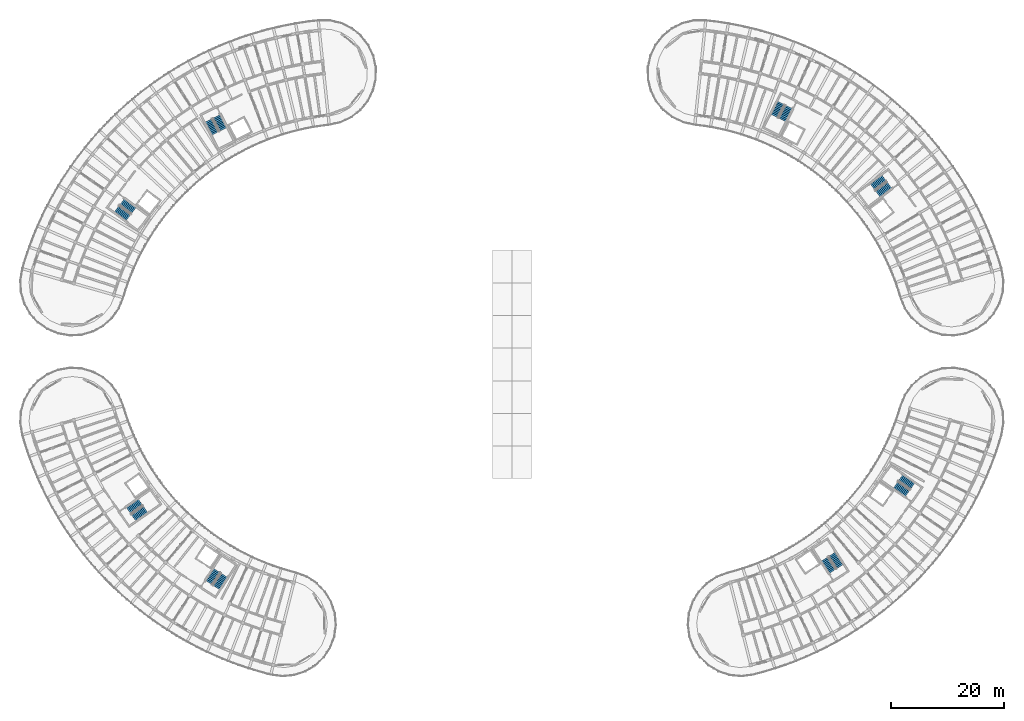
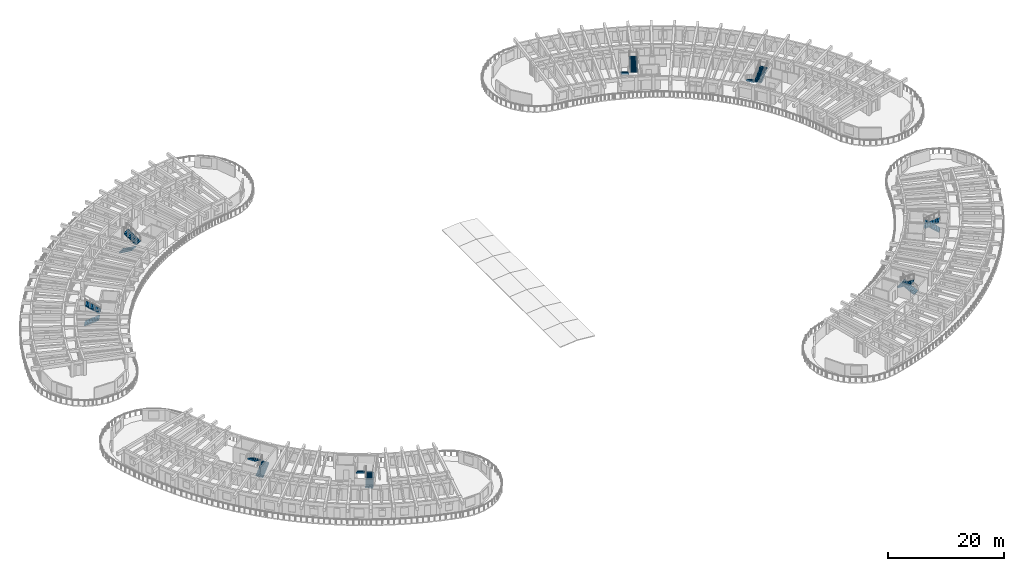
# One storey, part 47 of 69: 16 stair flights, 8 elements without a shape of their own.
"""IFC4 building model written with IfcOpenShell, lengths in metres."""

from ifc_helpers import new_model, si_unit, direction, frame, origin, place, context, subcontext, project, spatial, polyline, outline, extrude, material, layer, layer_set, type_object, element, aggregate, save


model = new_model("IFC4")

# Units and contexts
model_context = context("Model", 3, precision=1e-05, world=origin(), true_north=direction((0.0, 1.0)))
body_context = subcontext(model_context, "Body", "Model", "MODEL_VIEW")
ifc_project = project(units=[si_unit("LENGTHUNIT", "METRE"), si_unit("AREAUNIT", "SQUARE_METRE"), si_unit("VOLUMEUNIT", "CUBIC_METRE"), si_unit("PLANEANGLEUNIT", "RADIAN"), si_unit("MASSUNIT", "GRAM", prefix="KILO")], contexts=[model_context])

# Site, building, storey
site_placement = place(None, origin())
site = spatial("IfcSite", under=ifc_project, at=site_placement, CompositionType="ELEMENT")
building_placement = place(site_placement, origin())
building = spatial("IfcBuilding", under=site, at=building_placement, Name="Tanwirah Colonnade Gardens", CompositionType="ELEMENT")
storey_placement = place(building_placement, frame((0.0, 0.0, 15.56005859375)))
storey = spatial("IfcBuildingStorey", under=building, at=storey_placement, Name="L04", CompositionType="ELEMENT", Elevation=15.56005859375)

# Stair, stair flights
ifc_material = material(Name="Precast concrete C40/50", Category="concrete")
stair_type = type_object("IfcStairType", Name="ST-RES168", PredefinedType="HALF_TURN_STAIR", material=ifc_material)
stair_1_placement = place(storey_placement, origin())
stair_1 = element("IfcStair", 1, at=stair_1_placement, inside=storey, type_object=stair_type, Name="L04 Block A Core 1 Exit Stair", PredefinedType="HALF_TURN_STAIR")
ifc_layer = layer(ifc_material, 0.14990234375)
ifc_layer_set = layer_set([ifc_layer], Name="Precast concrete C40/50")
stair_flight_type = type_object("IfcStairFlightType", Name="FLT-RES150", PredefinedType="STRAIGHT", material=ifc_layer_set)
stair_flight_1_placement = place(storey_placement, frame((39.148681640625, 103.425048828125, 0.0), z_axis=(0.0, 0.0, 1.0), x_axis=(0.45399049974, -0.891006524188, 0.0)))
stair_flight_1 = element("IfcStairFlight", 2, at=stair_flight_1_placement, type_object=stair_flight_type, Name="ST-A1 flight 1", NumberOfRisers=10, NumberOfTreads=9, PredefinedType="STRAIGHT", RiserHeight=0.168, TreadLength=0.285, context=body_context, shape_type="SweptSolid", body=[
    extrude(outline(polyline([(-0.0048828125, 0.0), (0.0, 0.16796875), (0.284912109375, 0.16796875), (0.284912109375, 0.3359375), (0.570068359375, 0.3359375), (0.570068359375, 0.50390625), (0.85498046875, 0.50390625), (0.85498046875, 0.672119140625), (1.139892578125, 0.672119140625), (1.139892578125, 0.840087890625), (1.425048828125, 0.840087890625), (1.425048828125, 1.008056640625), (1.7099609375, 1.008056640625), (1.7099609375, 1.176025390625), (1.9951171875, 1.176025390625), (1.9951171875, 1.343994140625), (2.280029296875, 1.343994140625), (2.280029296875, 1.511962890625), (2.56494140625, 1.511962890625), (2.570068359375, 1.679931640625), (2.570068359375, 1.337890625), (0.30029296875, 0.0), (-0.0048828125, 0.0)])), frame((0.0, 0.68994140625, 0.0), z_axis=(0.0, -1.0, 0.0), x_axis=(1.0, 0.0, 0.0)), (0.0, 0.0, 1.0), 1.3798828125),
])
stair_flight_2_placement = place(storey_placement, frame((41.685302734375, 101.838623046875, 1.679931640625), z_axis=(0.0, 0.0, 1.0), x_axis=(-0.45399049974, 0.891006524188, 0.0)))
stair_flight_2 = element("IfcStairFlight", 3, at=stair_flight_2_placement, type_object=stair_flight_type, Name="ST-A1 flight 2", NumberOfRisers=10, NumberOfTreads=9, PredefinedType="STRAIGHT", RiserHeight=0.168, TreadLength=0.285, context=body_context, shape_type="SweptSolid", body=[
    extrude(outline(polyline([(-0.0048828125, 0.0), (0.0, 0.16796875), (0.284912109375, 0.16796875), (0.284912109375, 0.3359375), (0.570068359375, 0.3359375), (0.570068359375, 0.50390625), (0.85498046875, 0.50390625), (0.85498046875, 0.672119140625), (1.139892578125, 0.672119140625), (1.139892578125, 0.840087890625), (1.425048828125, 0.840087890625), (1.425048828125, 1.008056640625), (1.7099609375, 1.008056640625), (1.7099609375, 1.176025390625), (1.9951171875, 1.176025390625), (1.9951171875, 1.343994140625), (2.280029296875, 1.343994140625), (2.280029296875, 1.511962890625), (2.56494140625, 1.511962890625), (2.570068359375, 1.679931640625), (2.570068359375, 1.337890625), (0.30029296875, 0.0), (-0.0048828125, 0.0)])), frame((0.0, 0.68994140625, 0.0), z_axis=(0.0, -1.0, 0.0), x_axis=(1.0, 0.0, 0.0)), (0.0, 0.0, 1.0), 1.3798828125),
])
aggregate(stair_1, [stair_flight_1, stair_flight_2])

stair_2_placement = place(storey_placement, origin())
stair_2 = element("IfcStair", 4, at=stair_2_placement, inside=storey, type_object=stair_type, Name="L04 Block A Core 2 Exit Stair", PredefinedType="HALF_TURN_STAIR")
stair_flight_3_placement = place(storey_placement, frame((22.81640625, 87.7177734375, 0.0), z_axis=(0.0, 0.0, 1.0), x_axis=(0.798635510047, -0.601815023152, 0.0)))
stair_flight_3 = element("IfcStairFlight", 5, at=stair_flight_3_placement, type_object=stair_flight_type, Name="ST-A2 flight 1", NumberOfRisers=10, NumberOfTreads=9, PredefinedType="STRAIGHT", RiserHeight=0.168, TreadLength=0.285, context=body_context, shape_type="SweptSolid", body=[
    extrude(outline(polyline([(-0.0048828125, 0.0), (0.0, 0.16796875), (0.284912109375, 0.16796875), (0.284912109375, 0.3359375), (0.570068359375, 0.3359375), (0.570068359375, 0.50390625), (0.85498046875, 0.50390625), (0.85498046875, 0.672119140625), (1.139892578125, 0.672119140625), (1.139892578125, 0.840087890625), (1.425048828125, 0.840087890625), (1.425048828125, 1.008056640625), (1.7099609375, 1.008056640625), (1.7099609375, 1.176025390625), (1.9951171875, 1.176025390625), (1.9951171875, 1.343994140625), (2.280029296875, 1.343994140625), (2.280029296875, 1.511962890625), (2.56494140625, 1.511962890625), (2.570068359375, 1.679931640625), (2.570068359375, 1.337890625), (0.30029296875, 0.0), (-0.0048828125, 0.0)])), frame((0.0, 0.68994140625, 0.0), z_axis=(0.0, -1.0, 0.0), x_axis=(1.0, 0.0, 0.0)), (0.0, 0.0, 1.0), 1.3798828125),
])
stair_flight_4_placement = place(storey_placement, frame((25.791748046875, 87.404052734375, 1.679931640625), z_axis=(0.0, 0.0, 1.0), x_axis=(-0.798635510047, 0.601815023152, 0.0)))
stair_flight_4 = element("IfcStairFlight", 6, at=stair_flight_4_placement, type_object=stair_flight_type, Name="ST-A2 flight 2", NumberOfRisers=10, NumberOfTreads=9, PredefinedType="STRAIGHT", RiserHeight=0.168, TreadLength=0.285, context=body_context, shape_type="SweptSolid", body=[
    extrude(outline(polyline([(-0.0048828125, 0.0), (0.0, 0.16796875), (0.284912109375, 0.16796875), (0.284912109375, 0.3359375), (0.570068359375, 0.3359375), (0.570068359375, 0.50390625), (0.85498046875, 0.50390625), (0.85498046875, 0.672119140625), (1.139892578125, 0.672119140625), (1.139892578125, 0.840087890625), (1.425048828125, 0.840087890625), (1.425048828125, 1.008056640625), (1.7099609375, 1.008056640625), (1.7099609375, 1.176025390625), (1.9951171875, 1.176025390625), (1.9951171875, 1.343994140625), (2.280029296875, 1.343994140625), (2.280029296875, 1.511962890625), (2.56494140625, 1.511962890625), (2.570068359375, 1.679931640625), (2.570068359375, 1.337890625), (0.30029296875, 0.0), (-0.0048828125, 0.0)])), frame((0.0, 0.68994140625, 0.0), z_axis=(0.0, -1.0, 0.0), x_axis=(1.0, 0.0, 0.0)), (0.0, 0.0, 1.0), 1.3798828125),
])
aggregate(stair_2, [stair_flight_3, stair_flight_4])

stair_3_placement = place(storey_placement, origin())
stair_3 = element("IfcStair", 7, at=stair_3_placement, inside=storey, type_object=stair_type, Name="L04 Block B Core 1 Exit Stair", PredefinedType="HALF_TURN_STAIR")
stair_flight_5_placement = place(storey_placement, frame((159.079345703125, 93.16455078125, 0.0), z_axis=(0.0, 0.0, 1.0), x_axis=(-0.798635510047, -0.601815023152, 0.0)))
stair_flight_5 = element("IfcStairFlight", 8, at=stair_flight_5_placement, type_object=stair_flight_type, Name="ST-B1 flight 1", NumberOfRisers=10, NumberOfTreads=9, PredefinedType="STRAIGHT", RiserHeight=0.168, TreadLength=0.285, context=body_context, shape_type="SweptSolid", body=[
    extrude(outline(polyline([(-0.0048828125, 0.0), (0.0, 0.16796875), (0.284912109375, 0.16796875), (0.284912109375, 0.3359375), (0.570068359375, 0.3359375), (0.570068359375, 0.50390625), (0.85498046875, 0.50390625), (0.85498046875, 0.672119140625), (1.139892578125, 0.672119140625), (1.139892578125, 0.840087890625), (1.425048828125, 0.840087890625), (1.425048828125, 1.008056640625), (1.7099609375, 1.008056640625), (1.7099609375, 1.176025390625), (1.9951171875, 1.176025390625), (1.9951171875, 1.343994140625), (2.280029296875, 1.343994140625), (2.280029296875, 1.511962890625), (2.56494140625, 1.511962890625), (2.570068359375, 1.679931640625), (2.570068359375, 1.337890625), (0.30029296875, 0.0), (-0.0048828125, 0.0)])), frame((0.0, 0.68994140625, 0.0), z_axis=(0.0, -1.0, 0.0), x_axis=(1.0, 0.0, 0.0)), (0.0, 0.0, 1.0), 1.3798828125),
])
stair_flight_6_placement = place(storey_placement, frame((157.95751953125, 90.39111328125, 1.679931640625), z_axis=(0.0, 0.0, 1.0), x_axis=(0.798635510047, 0.601815023152, 0.0)))
stair_flight_6 = element("IfcStairFlight", 9, at=stair_flight_6_placement, type_object=stair_flight_type, Name="ST-B1 flight 2", NumberOfRisers=10, NumberOfTreads=9, PredefinedType="STRAIGHT", RiserHeight=0.168, TreadLength=0.285, context=body_context, shape_type="SweptSolid", body=[
    extrude(outline(polyline([(-0.0048828125, 0.0), (0.0, 0.16796875), (0.284912109375, 0.16796875), (0.284912109375, 0.3359375), (0.570068359375, 0.3359375), (0.570068359375, 0.50390625), (0.85498046875, 0.50390625), (0.85498046875, 0.672119140625), (1.139892578125, 0.672119140625), (1.139892578125, 0.840087890625), (1.425048828125, 0.840087890625), (1.425048828125, 1.008056640625), (1.7099609375, 1.008056640625), (1.7099609375, 1.176025390625), (1.9951171875, 1.176025390625), (1.9951171875, 1.343994140625), (2.280029296875, 1.343994140625), (2.280029296875, 1.511962890625), (2.56494140625, 1.511962890625), (2.570068359375, 1.679931640625), (2.570068359375, 1.337890625), (0.30029296875, 0.0), (-0.0048828125, 0.0)])), frame((0.0, 0.68994140625, 0.0), z_axis=(0.0, -1.0, 0.0), x_axis=(1.0, 0.0, 0.0)), (0.0, 0.0, 1.0), 1.3798828125),
])
aggregate(stair_3, [stair_flight_5, stair_flight_6])

stair_4_placement = place(storey_placement, origin())
stair_4 = element("IfcStair", 10, at=stair_4_placement, inside=storey, type_object=stair_type, Name="L04 Block B Core 2 Exit Stair", PredefinedType="HALF_TURN_STAIR")
stair_flight_7_placement = place(storey_placement, frame((140.774658203125, 106.521240234375, 0.0), z_axis=(0.0, 0.0, 1.0), x_axis=(-0.45399049974, -0.891006524188, 0.0)))
stair_flight_7 = element("IfcStairFlight", 11, at=stair_flight_7_placement, type_object=stair_flight_type, Name="ST-B2 flight 1", NumberOfRisers=10, NumberOfTreads=9, PredefinedType="STRAIGHT", RiserHeight=0.168, TreadLength=0.285, context=body_context, shape_type="SweptSolid", body=[
    extrude(outline(polyline([(-0.0048828125, 0.0), (0.0, 0.16796875), (0.284912109375, 0.16796875), (0.284912109375, 0.3359375), (0.570068359375, 0.3359375), (0.570068359375, 0.50390625), (0.85498046875, 0.50390625), (0.85498046875, 0.672119140625), (1.139892578125, 0.672119140625), (1.139892578125, 0.840087890625), (1.425048828125, 0.840087890625), (1.425048828125, 1.008056640625), (1.7099609375, 1.008056640625), (1.7099609375, 1.176025390625), (1.9951171875, 1.176025390625), (1.9951171875, 1.343994140625), (2.280029296875, 1.343994140625), (2.280029296875, 1.511962890625), (2.56494140625, 1.511962890625), (2.570068359375, 1.679931640625), (2.570068359375, 1.337890625), (0.30029296875, 0.0), (-0.0048828125, 0.0)])), frame((0.0, 0.68994140625, 0.0), z_axis=(0.0, -1.0, 0.0), x_axis=(1.0, 0.0, 0.0)), (0.0, 0.0, 1.0), 1.3798828125),
])
stair_flight_8_placement = place(storey_placement, frame((140.982421875, 103.53662109375, 1.679931640625), z_axis=(0.0, 0.0, 1.0), x_axis=(0.45399049974, 0.891006524188, 0.0)))
stair_flight_8 = element("IfcStairFlight", 12, at=stair_flight_8_placement, type_object=stair_flight_type, Name="ST-B2 flight 2", NumberOfRisers=10, NumberOfTreads=9, PredefinedType="STRAIGHT", RiserHeight=0.168, TreadLength=0.285, context=body_context, shape_type="SweptSolid", body=[
    extrude(outline(polyline([(-0.0048828125, 0.0), (0.0, 0.16796875), (0.284912109375, 0.16796875), (0.284912109375, 0.3359375), (0.570068359375, 0.3359375), (0.570068359375, 0.50390625), (0.85498046875, 0.50390625), (0.85498046875, 0.672119140625), (1.139892578125, 0.672119140625), (1.139892578125, 0.840087890625), (1.425048828125, 0.840087890625), (1.425048828125, 1.008056640625), (1.7099609375, 1.008056640625), (1.7099609375, 1.176025390625), (1.9951171875, 1.176025390625), (1.9951171875, 1.343994140625), (2.280029296875, 1.343994140625), (2.280029296875, 1.511962890625), (2.56494140625, 1.511962890625), (2.570068359375, 1.679931640625), (2.570068359375, 1.337890625), (0.30029296875, 0.0), (-0.0048828125, 0.0)])), frame((0.0, 0.68994140625, 0.0), z_axis=(0.0, -1.0, 0.0), x_axis=(1.0, 0.0, 0.0)), (0.0, 0.0, 1.0), 1.3798828125),
])
aggregate(stair_4, [stair_flight_7, stair_flight_8])

stair_5_placement = place(storey_placement, origin())
stair_5 = element("IfcStair", 13, at=stair_5_placement, inside=storey, type_object=stair_type, Name="L04 Block C Core 1 Exit Stair", PredefinedType="HALF_TURN_STAIR")
stair_flight_9_placement = place(storey_placement, frame((25.79345703125, 32.884521484375, 0.0), z_axis=(0.0, 0.0, 1.0), x_axis=(0.819152044289, 0.573576436351, 0.0)))
stair_flight_9 = element("IfcStairFlight", 14, at=stair_flight_9_placement, type_object=stair_flight_type, Name="ST-C1 flight 1", NumberOfRisers=10, NumberOfTreads=9, PredefinedType="STRAIGHT", RiserHeight=0.168, TreadLength=0.285, context=body_context, shape_type="SweptSolid", body=[
    extrude(outline(polyline([(-0.0048828125, 0.0), (0.0, 0.16796875), (0.284912109375, 0.16796875), (0.284912109375, 0.3359375), (0.570068359375, 0.3359375), (0.570068359375, 0.50390625), (0.85498046875, 0.50390625), (0.85498046875, 0.672119140625), (1.139892578125, 0.672119140625), (1.139892578125, 0.840087890625), (1.425048828125, 0.840087890625), (1.425048828125, 1.008056640625), (1.7099609375, 1.008056640625), (1.7099609375, 1.176025390625), (1.9951171875, 1.176025390625), (1.9951171875, 1.343994140625), (2.280029296875, 1.343994140625), (2.280029296875, 1.511962890625), (2.56494140625, 1.511962890625), (2.570068359375, 1.679931640625), (2.570068359375, 1.337890625), (0.30029296875, 0.0), (-0.0048828125, 0.0)])), frame((0.0, 0.68994140625, 0.0), z_axis=(0.0, -1.0, 0.0), x_axis=(1.0, 0.0, 0.0)), (0.0, 0.0, 1.0), 1.3798828125),
])
stair_flight_10_placement = place(storey_placement, frame((27.01123046875, 35.6171875, 1.679931640625), z_axis=(0.0, 0.0, 1.0), x_axis=(-0.819152044289, -0.573576436351, 0.0)))
stair_flight_10 = element("IfcStairFlight", 15, at=stair_flight_10_placement, type_object=stair_flight_type, Name="ST-C1 flight 2", NumberOfRisers=10, NumberOfTreads=9, PredefinedType="STRAIGHT", RiserHeight=0.168, TreadLength=0.285, context=body_context, shape_type="SweptSolid", body=[
    extrude(outline(polyline([(-0.0048828125, 0.0), (0.0, 0.16796875), (0.284912109375, 0.16796875), (0.284912109375, 0.3359375), (0.570068359375, 0.3359375), (0.570068359375, 0.50390625), (0.85498046875, 0.50390625), (0.85498046875, 0.672119140625), (1.139892578125, 0.672119140625), (1.139892578125, 0.840087890625), (1.425048828125, 0.840087890625), (1.425048828125, 1.008056640625), (1.7099609375, 1.008056640625), (1.7099609375, 1.176025390625), (1.9951171875, 1.176025390625), (1.9951171875, 1.343994140625), (2.280029296875, 1.343994140625), (2.280029296875, 1.511962890625), (2.56494140625, 1.511962890625), (2.570068359375, 1.679931640625), (2.570068359375, 1.337890625), (0.30029296875, 0.0), (-0.0048828125, 0.0)])), frame((0.0, 0.68994140625, 0.0), z_axis=(0.0, -1.0, 0.0), x_axis=(1.0, 0.0, 0.0)), (0.0, 0.0, 1.0), 1.3798828125),
])
aggregate(stair_5, [stair_flight_9, stair_flight_10])

stair_6_placement = place(storey_placement, origin())
stair_6 = element("IfcStair", 16, at=stair_6_placement, inside=storey, type_object=stair_type, Name="L04 Block C Core 2 Exit Stair", PredefinedType="HALF_TURN_STAIR")
stair_flight_11_placement = place(storey_placement, frame((40.49169921875, 20.49951171875, 0.0), z_axis=(0.0, 0.0, 1.0), x_axis=(0.544639035015, 0.838670567945, 0.0)))
stair_flight_11 = element("IfcStairFlight", 17, at=stair_flight_11_placement, type_object=stair_flight_type, Name="ST-C2 flight 1", NumberOfRisers=10, NumberOfTreads=9, PredefinedType="STRAIGHT", RiserHeight=0.168, TreadLength=0.285, context=body_context, shape_type="SweptSolid", body=[
    extrude(outline(polyline([(-0.0048828125, 0.0), (0.0, 0.16796875), (0.284912109375, 0.16796875), (0.284912109375, 0.3359375), (0.570068359375, 0.3359375), (0.570068359375, 0.50390625), (0.85498046875, 0.50390625), (0.85498046875, 0.672119140625), (1.139892578125, 0.672119140625), (1.139892578125, 0.840087890625), (1.425048828125, 0.840087890625), (1.425048828125, 1.008056640625), (1.7099609375, 1.008056640625), (1.7099609375, 1.176025390625), (1.9951171875, 1.176025390625), (1.9951171875, 1.343994140625), (2.280029296875, 1.343994140625), (2.280029296875, 1.511962890625), (2.56494140625, 1.511962890625), (2.570068359375, 1.679931640625), (2.570068359375, 1.337890625), (0.30029296875, 0.0), (-0.0048828125, 0.0)])), frame((0.0, 0.68994140625, 0.0), z_axis=(0.0, -1.0, 0.0), x_axis=(1.0, 0.0, 0.0)), (0.0, 0.0, 1.0), 1.3798828125),
])
stair_flight_12_placement = place(storey_placement, frame((40.59716796875, 23.489501953125, 1.679931640625), z_axis=(0.0, 0.0, 1.0), x_axis=(-0.544639035015, -0.838670567945, 0.0)))
stair_flight_12 = element("IfcStairFlight", 18, at=stair_flight_12_placement, type_object=stair_flight_type, Name="ST-C2 flight 2", NumberOfRisers=10, NumberOfTreads=9, PredefinedType="STRAIGHT", RiserHeight=0.168, TreadLength=0.285, context=body_context, shape_type="SweptSolid", body=[
    extrude(outline(polyline([(-0.0048828125, 0.0), (0.0, 0.16796875), (0.284912109375, 0.16796875), (0.284912109375, 0.3359375), (0.570068359375, 0.3359375), (0.570068359375, 0.50390625), (0.85498046875, 0.50390625), (0.85498046875, 0.672119140625), (1.139892578125, 0.672119140625), (1.139892578125, 0.840087890625), (1.425048828125, 0.840087890625), (1.425048828125, 1.008056640625), (1.7099609375, 1.008056640625), (1.7099609375, 1.176025390625), (1.9951171875, 1.176025390625), (1.9951171875, 1.343994140625), (2.280029296875, 1.343994140625), (2.280029296875, 1.511962890625), (2.56494140625, 1.511962890625), (2.570068359375, 1.679931640625), (2.570068359375, 1.337890625), (0.30029296875, 0.0), (-0.0048828125, 0.0)])), frame((0.0, 0.68994140625, 0.0), z_axis=(0.0, -1.0, 0.0), x_axis=(1.0, 0.0, 0.0)), (0.0, 0.0, 1.0), 1.3798828125),
])
aggregate(stair_6, [stair_flight_11, stair_flight_12])

stair_7_placement = place(storey_placement, origin())
stair_7 = element("IfcStair", 19, at=stair_7_placement, inside=storey, type_object=stair_type, Name="L04 Block D Core 1 Exit Stair", PredefinedType="HALF_TURN_STAIR")
stair_flight_13_placement = place(storey_placement, frame((151.22802734375, 24.214111328125, 0.0), z_axis=(0.0, 0.0, 1.0), x_axis=(-0.544639035015, 0.838670567945, 0.0)))
stair_flight_13 = element("IfcStairFlight", 20, at=stair_flight_13_placement, type_object=stair_flight_type, Name="ST-D1 flight 1", NumberOfRisers=10, NumberOfTreads=9, PredefinedType="STRAIGHT", RiserHeight=0.168, TreadLength=0.285, context=body_context, shape_type="SweptSolid", body=[
    extrude(outline(polyline([(-0.0048828125, 0.0), (0.0, 0.16796875), (0.284912109375, 0.16796875), (0.284912109375, 0.3359375), (0.570068359375, 0.3359375), (0.570068359375, 0.50390625), (0.85498046875, 0.50390625), (0.85498046875, 0.672119140625), (1.139892578125, 0.672119140625), (1.139892578125, 0.840087890625), (1.425048828125, 0.840087890625), (1.425048828125, 1.008056640625), (1.7099609375, 1.008056640625), (1.7099609375, 1.176025390625), (1.9951171875, 1.176025390625), (1.9951171875, 1.343994140625), (2.280029296875, 1.343994140625), (2.280029296875, 1.511962890625), (2.56494140625, 1.511962890625), (2.570068359375, 1.679931640625), (2.570068359375, 1.337890625), (0.30029296875, 0.0), (-0.0048828125, 0.0)])), frame((0.0, 0.68994140625, 0.0), z_axis=(0.0, -1.0, 0.0), x_axis=(1.0, 0.0, 0.0)), (0.0, 0.0, 1.0), 1.3798828125),
])
stair_flight_14_placement = place(storey_placement, frame((148.539306640625, 25.5263671875, 1.679931640625), z_axis=(0.0, 0.0, 1.0), x_axis=(0.544639035015, -0.838670567945, 0.0)))
stair_flight_14 = element("IfcStairFlight", 21, at=stair_flight_14_placement, type_object=stair_flight_type, Name="ST-D1 flight 2", NumberOfRisers=10, NumberOfTreads=9, PredefinedType="STRAIGHT", RiserHeight=0.168, TreadLength=0.285, context=body_context, shape_type="SweptSolid", body=[
    extrude(outline(polyline([(-0.0048828125, 0.0), (0.0, 0.16796875), (0.284912109375, 0.16796875), (0.284912109375, 0.3359375), (0.570068359375, 0.3359375), (0.570068359375, 0.50390625), (0.85498046875, 0.50390625), (0.85498046875, 0.672119140625), (1.139892578125, 0.672119140625), (1.139892578125, 0.840087890625), (1.425048828125, 0.840087890625), (1.425048828125, 1.008056640625), (1.7099609375, 1.008056640625), (1.7099609375, 1.176025390625), (1.9951171875, 1.176025390625), (1.9951171875, 1.343994140625), (2.280029296875, 1.343994140625), (2.280029296875, 1.511962890625), (2.56494140625, 1.511962890625), (2.570068359375, 1.679931640625), (2.570068359375, 1.337890625), (0.30029296875, 0.0), (-0.0048828125, 0.0)])), frame((0.0, 0.68994140625, 0.0), z_axis=(0.0, -1.0, 0.0), x_axis=(1.0, 0.0, 0.0)), (0.0, 0.0, 1.0), 1.3798828125),
])
aggregate(stair_7, [stair_flight_13, stair_flight_14])

stair_8_placement = place(storey_placement, origin())
stair_8 = element("IfcStair", 22, at=stair_8_placement, inside=storey, type_object=stair_type, Name="L04 Block D Core 2 Exit Stair", PredefinedType="HALF_TURN_STAIR")
stair_flight_15_placement = place(storey_placement, frame((164.1181640625, 38.47119140625, 0.0), z_axis=(0.0, 0.0, 1.0), x_axis=(-0.819152044289, 0.573576436351, 0.0)))
stair_flight_15 = element("IfcStairFlight", 23, at=stair_flight_15_placement, type_object=stair_flight_type, Name="ST-D2 flight 1", NumberOfRisers=10, NumberOfTreads=9, PredefinedType="STRAIGHT", RiserHeight=0.168, TreadLength=0.285, context=body_context, shape_type="SweptSolid", body=[
    extrude(outline(polyline([(-0.0048828125, 0.0), (0.0, 0.16796875), (0.284912109375, 0.16796875), (0.284912109375, 0.3359375), (0.570068359375, 0.3359375), (0.570068359375, 0.50390625), (0.85498046875, 0.50390625), (0.85498046875, 0.672119140625), (1.139892578125, 0.672119140625), (1.139892578125, 0.840087890625), (1.425048828125, 0.840087890625), (1.425048828125, 1.008056640625), (1.7099609375, 1.008056640625), (1.7099609375, 1.176025390625), (1.9951171875, 1.176025390625), (1.9951171875, 1.343994140625), (2.280029296875, 1.343994140625), (2.280029296875, 1.511962890625), (2.56494140625, 1.511962890625), (2.570068359375, 1.679931640625), (2.570068359375, 1.337890625), (0.30029296875, 0.0), (-0.0048828125, 0.0)])), frame((0.0, 0.68994140625, 0.0), z_axis=(0.0, -1.0, 0.0), x_axis=(1.0, 0.0, 0.0)), (0.0, 0.0, 1.0), 1.3798828125),
])
stair_flight_16_placement = place(storey_placement, frame((161.1337890625, 38.680908203125, 1.679931640625), z_axis=(0.0, 0.0, 1.0), x_axis=(0.819152044289, -0.573576436351, 0.0)))
stair_flight_16 = element("IfcStairFlight", 24, at=stair_flight_16_placement, type_object=stair_flight_type, Name="ST-D2 flight 2", NumberOfRisers=10, NumberOfTreads=9, PredefinedType="STRAIGHT", RiserHeight=0.168, TreadLength=0.285, context=body_context, shape_type="SweptSolid", body=[
    extrude(outline(polyline([(-0.0048828125, 0.0), (0.0, 0.16796875), (0.284912109375, 0.16796875), (0.284912109375, 0.3359375), (0.570068359375, 0.3359375), (0.570068359375, 0.50390625), (0.85498046875, 0.50390625), (0.85498046875, 0.672119140625), (1.139892578125, 0.672119140625), (1.139892578125, 0.840087890625), (1.425048828125, 0.840087890625), (1.425048828125, 1.008056640625), (1.7099609375, 1.008056640625), (1.7099609375, 1.176025390625), (1.9951171875, 1.176025390625), (1.9951171875, 1.343994140625), (2.280029296875, 1.343994140625), (2.280029296875, 1.511962890625), (2.56494140625, 1.511962890625), (2.570068359375, 1.679931640625), (2.570068359375, 1.337890625), (0.30029296875, 0.0), (-0.0048828125, 0.0)])), frame((0.0, 0.68994140625, 0.0), z_axis=(0.0, -1.0, 0.0), x_axis=(1.0, 0.0, 0.0)), (0.0, 0.0, 1.0), 1.3798828125),
])
aggregate(stair_8, [stair_flight_15, stair_flight_16])

save(model, "model.ifc")
